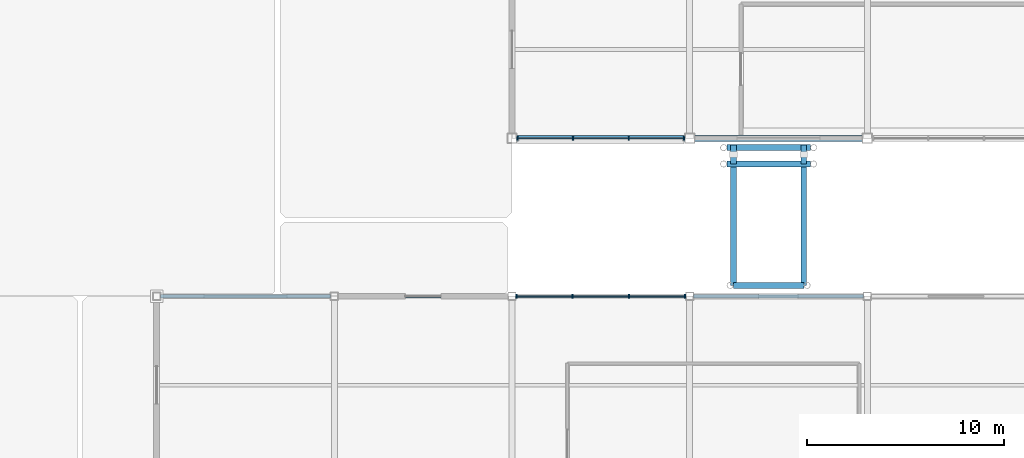
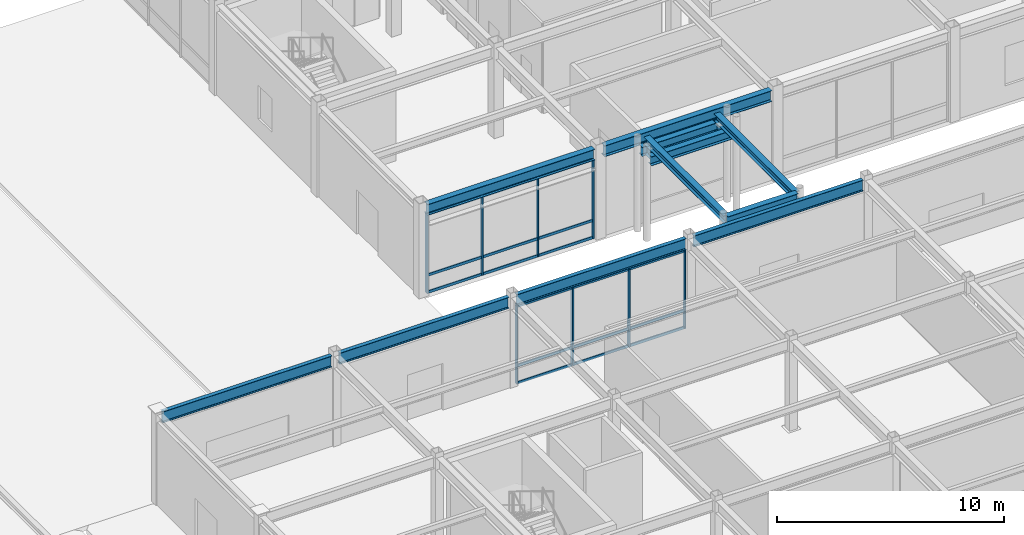
# One storey, part 57 of 123: 26 members, 13 beams, 2 elements without a shape of their own.
"""IFC4 building model written with IfcOpenShell, lengths in metres."""

from ifc_helpers import new_model, si_unit, direction, frame, origin, origin_2d, place, context, subcontext, project, spatial, rectangle, i_section, extrude, material, material_profile, profile_set, type_object, element, aggregate, save


model = new_model("IFC4")

# Units and contexts
model_context = context("Model", 3, precision=1e-05, world=origin(), true_north=direction((0.0, 1.0)))
body_context = subcontext(model_context, "Body", "Model", "MODEL_VIEW")
ifc_project = project(units=[si_unit("LENGTHUNIT", "METRE"), si_unit("AREAUNIT", "SQUARE_METRE"), si_unit("VOLUMEUNIT", "CUBIC_METRE"), si_unit("PLANEANGLEUNIT", "RADIAN"), si_unit("MASSUNIT", "GRAM", prefix="KILO")], contexts=[model_context])

# Site, building, storey
site_placement = place(None, origin())
site = spatial("IfcSite", under=ifc_project, at=site_placement, CompositionType="ELEMENT")
building_placement = place(site_placement, origin())
building = spatial("IfcBuilding", under=site, at=building_placement, Name="Suzunagisa Mobility Hub", CompositionType="ELEMENT")
storey_placement = place(building_placement, origin())
storey = spatial("IfcBuildingStorey", under=building, at=storey_placement, Name="L00", CompositionType="ELEMENT", Elevation=0.0)

# Curtain wall, members
ifc_material_1 = material(Name="Thermally Broken Anodized Aluminum and Low-E Glazing", Category="aluminium")
curtain_wall_type_1 = type_object("IfcCurtainWallType", Name="Unitised Curtain Wall CW-32 8500x4200", PredefinedType="USERDEFINED", material=ifc_material_1)
curtain_wall_1_placement = place(storey_placement, origin())
curtain_wall_1 = element("IfcCurtainWall", 1, at=curtain_wall_1_placement, inside=storey, type_object=curtain_wall_type_1, Name="L00 Unitised Curtain Wall CW-148", ObjectType="UNITISED CURTAIN WALL", PredefinedType="USERDEFINED")
ifc_material_2 = material(Name="Anodized Aluminum 6063-T6", Category="aluminium")
ifc_material_profile_1 = material_profile(ifc_material_2, rectangle(XDim=0.06494140625, YDim=0.139892578125, at=origin_2d()), Name="TRAN-65x140")
ifc_profile_set_1 = profile_set([ifc_material_profile_1], Name="Anodized Aluminum 6063-T6")
member_type_1 = type_object("IfcMemberType", Name="Curtain Wall Framing CM-01 TRAN-65x140", PredefinedType="USERDEFINED", material=ifc_profile_set_1)
member_1_placement = place(storey_placement, frame((152.737060546875, 36.0, 0.032470703125), z_axis=(-1.0, 0.0, 0.0), x_axis=(0.0, -1.0, 0.0)))
member_1 = element("IfcMember", 2, at=member_1_placement, type_object=member_type_1, Name="Curtain Wall Transom 148-T1.1", ObjectType="TRANSOM", PredefinedType="USERDEFINED", context=body_context, shape_type="SweptSolid", body=[
    extrude(rectangle(XDim=0.06494140625, YDim=0.139892578125, at=origin_2d()), origin(), (0.0, 0.0, 1.0), 2.773193359375),
])
member_2_placement = place(storey_placement, frame((152.737060546875, 36.0, 0.949951171875), z_axis=(-1.0, 0.0, 0.0), x_axis=(0.0, -1.0, 0.0)))
member_2 = element("IfcMember", 3, at=member_2_placement, type_object=member_type_1, Name="Curtain Wall Transom 148-T1.2", ObjectType="TRANSOM", PredefinedType="USERDEFINED", context=body_context, shape_type="SweptSolid", body=[
    extrude(rectangle(XDim=0.06494140625, YDim=0.139892578125, at=origin_2d()), origin(), (0.0, 0.0, 1.0), 2.773193359375),
])
member_3_placement = place(storey_placement, frame((152.737060546875, 36.0, 4.157470703125), z_axis=(-1.0, 0.0, 0.0), x_axis=(0.0, -1.0, 0.0)))
member_3 = element("IfcMember", 4, at=member_3_placement, type_object=member_type_1, Name="Curtain Wall Transom 148-T1.3", ObjectType="TRANSOM", PredefinedType="USERDEFINED", context=body_context, shape_type="SweptSolid", body=[
    extrude(rectangle(XDim=0.06494140625, YDim=0.139892578125, at=origin_2d()), origin(), (0.0, 0.0, 1.0), 2.773193359375),
])
member_4_placement = place(storey_placement, frame((149.90283203125, 36.0, 0.032470703125), z_axis=(-1.0, 0.0, 0.0), x_axis=(0.0, -1.0, 0.0)))
member_4 = element("IfcMember", 5, at=member_4_placement, type_object=member_type_1, Name="Curtain Wall Transom 148-T2.1", ObjectType="TRANSOM", PredefinedType="USERDEFINED", context=body_context, shape_type="SweptSolid", body=[
    extrude(rectangle(XDim=0.06494140625, YDim=0.139892578125, at=origin_2d()), origin(), (0.0, 0.0, 1.0), 2.8056640625),
])
member_5_placement = place(storey_placement, frame((149.90283203125, 36.0, 0.949951171875), z_axis=(-1.0, 0.0, 0.0), x_axis=(0.0, -1.0, 0.0)))
member_5 = element("IfcMember", 6, at=member_5_placement, type_object=member_type_1, Name="Curtain Wall Transom 148-T2.2", ObjectType="TRANSOM", PredefinedType="USERDEFINED", context=body_context, shape_type="SweptSolid", body=[
    extrude(rectangle(XDim=0.06494140625, YDim=0.139892578125, at=origin_2d()), origin(), (0.0, 0.0, 1.0), 2.8056640625),
])
member_6_placement = place(storey_placement, frame((149.90283203125, 36.0, 4.157470703125), z_axis=(-1.0, 0.0, 0.0), x_axis=(0.0, -1.0, 0.0)))
member_6 = element("IfcMember", 7, at=member_6_placement, type_object=member_type_1, Name="Curtain Wall Transom 148-T2.3", ObjectType="TRANSOM", PredefinedType="USERDEFINED", context=body_context, shape_type="SweptSolid", body=[
    extrude(rectangle(XDim=0.06494140625, YDim=0.139892578125, at=origin_2d()), origin(), (0.0, 0.0, 1.0), 2.8056640625),
])
member_7_placement = place(storey_placement, frame((147.0361328125, 36.0, 0.032470703125), z_axis=(-1.0, 0.0, 0.0), x_axis=(0.0, -1.0, 0.0)))
member_7 = element("IfcMember", 8, at=member_7_placement, type_object=member_type_1, Name="Curtain Wall Transom 148-T3.1", ObjectType="TRANSOM", PredefinedType="USERDEFINED", context=body_context, shape_type="SweptSolid", body=[
    extrude(rectangle(XDim=0.06494140625, YDim=0.139892578125, at=origin_2d()), origin(), (0.0, 0.0, 1.0), 2.773193359375),
])
member_8_placement = place(storey_placement, frame((147.0361328125, 36.0, 0.949951171875), z_axis=(-1.0, 0.0, 0.0), x_axis=(0.0, -1.0, 0.0)))
member_8 = element("IfcMember", 9, at=member_8_placement, type_object=member_type_1, Name="Curtain Wall Transom 148-T3.2", ObjectType="TRANSOM", PredefinedType="USERDEFINED", context=body_context, shape_type="SweptSolid", body=[
    extrude(rectangle(XDim=0.06494140625, YDim=0.139892578125, at=origin_2d()), origin(), (0.0, 0.0, 1.0), 2.773193359375),
])
member_9_placement = place(storey_placement, frame((147.0361328125, 36.0, 4.157470703125), z_axis=(-1.0, 0.0, 0.0), x_axis=(0.0, -1.0, 0.0)))
member_9 = element("IfcMember", 10, at=member_9_placement, type_object=member_type_1, Name="Curtain Wall Transom 148-T3.3", ObjectType="TRANSOM", PredefinedType="USERDEFINED", context=body_context, shape_type="SweptSolid", body=[
    extrude(rectangle(XDim=0.06494140625, YDim=0.139892578125, at=origin_2d()), origin(), (0.0, 0.0, 1.0), 2.773193359375),
])

curtain_wall_type_2 = type_object("IfcCurtainWallType", Name="Unitised Curtain Wall CW-21 8500x4300", PredefinedType="USERDEFINED", material=ifc_material_1)
curtain_wall_2_placement = place(storey_placement, origin())
curtain_wall_2 = element("IfcCurtainWall", 11, at=curtain_wall_2_placement, inside=storey, type_object=curtain_wall_type_2, Name="L00 Unitised Curtain Wall CW-171", ObjectType="UNITISED CURTAIN WALL", PredefinedType="USERDEFINED")
member_10_placement = place(storey_placement, frame((144.31298828125, 44.0, 0.032470703125), z_axis=(1.0, 0.0, 0.0), x_axis=(0.0, 1.0, 0.0)))
member_10 = element("IfcMember", 12, at=member_10_placement, type_object=member_type_1, Name="Curtain Wall Transom 171-T1.1", ObjectType="TRANSOM", PredefinedType="USERDEFINED", context=body_context, shape_type="SweptSolid", body=[
    extrude(rectangle(XDim=0.06494140625, YDim=0.139892578125, at=origin_2d()), origin(), (0.0, 0.0, 1.0), 2.73974609375),
])
member_11_placement = place(storey_placement, frame((144.31298828125, 44.0, 0.949951171875), z_axis=(1.0, 0.0, 0.0), x_axis=(0.0, 1.0, 0.0)))
member_11 = element("IfcMember", 13, at=member_11_placement, type_object=member_type_1, Name="Curtain Wall Transom 171-T1.2", ObjectType="TRANSOM", PredefinedType="USERDEFINED", context=body_context, shape_type="SweptSolid", body=[
    extrude(rectangle(XDim=0.06494140625, YDim=0.139892578125, at=origin_2d()), origin(), (0.0, 0.0, 1.0), 2.73974609375),
])
member_12_placement = place(storey_placement, frame((144.31298828125, 44.0, 4.219482421875), z_axis=(1.0, 0.0, 0.0), x_axis=(0.0, 1.0, 0.0)))
member_12 = element("IfcMember", 14, at=member_12_placement, type_object=member_type_1, Name="Curtain Wall Transom 171-T1.3", ObjectType="TRANSOM", PredefinedType="USERDEFINED", context=body_context, shape_type="SweptSolid", body=[
    extrude(rectangle(XDim=0.06494140625, YDim=0.139892578125, at=origin_2d()), origin(), (0.0, 0.0, 1.0), 2.73974609375),
])
member_13_placement = place(storey_placement, frame((147.11376953125, 44.0, 0.032470703125), z_axis=(1.0, 0.0, 0.0), x_axis=(0.0, 1.0, 0.0)))
member_13 = element("IfcMember", 15, at=member_13_placement, type_object=member_type_1, Name="Curtain Wall Transom 171-T2.1", ObjectType="TRANSOM", PredefinedType="USERDEFINED", context=body_context, shape_type="SweptSolid", body=[
    extrude(rectangle(XDim=0.06494140625, YDim=0.139892578125, at=origin_2d()), origin(), (0.0, 0.0, 1.0), 2.7724609375),
])
member_14_placement = place(storey_placement, frame((147.11376953125, 44.0, 0.949951171875), z_axis=(1.0, 0.0, 0.0), x_axis=(0.0, 1.0, 0.0)))
member_14 = element("IfcMember", 16, at=member_14_placement, type_object=member_type_1, Name="Curtain Wall Transom 171-T2.2", ObjectType="TRANSOM", PredefinedType="USERDEFINED", context=body_context, shape_type="SweptSolid", body=[
    extrude(rectangle(XDim=0.06494140625, YDim=0.139892578125, at=origin_2d()), origin(), (0.0, 0.0, 1.0), 2.7724609375),
])
member_15_placement = place(storey_placement, frame((147.11376953125, 44.0, 4.219482421875), z_axis=(1.0, 0.0, 0.0), x_axis=(0.0, 1.0, 0.0)))
member_15 = element("IfcMember", 17, at=member_15_placement, type_object=member_type_1, Name="Curtain Wall Transom 171-T2.3", ObjectType="TRANSOM", PredefinedType="USERDEFINED", context=body_context, shape_type="SweptSolid", body=[
    extrude(rectangle(XDim=0.06494140625, YDim=0.139892578125, at=origin_2d()), origin(), (0.0, 0.0, 1.0), 2.7724609375),
])
member_16_placement = place(storey_placement, frame((149.947265625, 44.0, 0.032470703125), z_axis=(1.0, 0.0, 0.0), x_axis=(0.0, 1.0, 0.0)))
member_16 = element("IfcMember", 18, at=member_16_placement, type_object=member_type_1, Name="Curtain Wall Transom 171-T3.1", ObjectType="TRANSOM", PredefinedType="USERDEFINED", context=body_context, shape_type="SweptSolid", body=[
    extrude(rectangle(XDim=0.06494140625, YDim=0.139892578125, at=origin_2d()), origin(), (0.0, 0.0, 1.0), 2.73974609375),
])
member_17_placement = place(storey_placement, frame((149.947265625, 44.0, 0.949951171875), z_axis=(1.0, 0.0, 0.0), x_axis=(0.0, 1.0, 0.0)))
member_17 = element("IfcMember", 19, at=member_17_placement, type_object=member_type_1, Name="Curtain Wall Transom 171-T3.2", ObjectType="TRANSOM", PredefinedType="USERDEFINED", context=body_context, shape_type="SweptSolid", body=[
    extrude(rectangle(XDim=0.06494140625, YDim=0.139892578125, at=origin_2d()), origin(), (0.0, 0.0, 1.0), 2.73974609375),
])
member_18_placement = place(storey_placement, frame((149.947265625, 44.0, 4.219482421875), z_axis=(1.0, 0.0, 0.0), x_axis=(0.0, 1.0, 0.0)))
member_18 = element("IfcMember", 20, at=member_18_placement, type_object=member_type_1, Name="Curtain Wall Transom 171-T3.3", ObjectType="TRANSOM", PredefinedType="USERDEFINED", context=body_context, shape_type="SweptSolid", body=[
    extrude(rectangle(XDim=0.06494140625, YDim=0.139892578125, at=origin_2d()), origin(), (0.0, 0.0, 1.0), 2.73974609375),
])

# Member
ifc_material_profile_2 = material_profile(ifc_material_2, rectangle(XDim=0.06494140625, YDim=0.179931640625, at=origin_2d()), Name="MULL-65x180")
ifc_profile_set_2 = profile_set([ifc_material_profile_2], Name="Anodized Aluminum 6063-T6")
member_type_2 = type_object("IfcMemberType", Name="Curtain Wall Framing CM-04 MULL-65x180", PredefinedType="MULLION", material=ifc_profile_set_2)
member_19_placement = place(storey_placement, frame((152.767578125, 36.0, 0.0), z_axis=(0.0, 0.0, 1.0), x_axis=(-1.0, 0.0, 0.0)))
member_19 = element("IfcMember", 21, at=member_19_placement, type_object=member_type_2, Name="Curtain Wall Mullion 148-M1", PredefinedType="MULLION", context=body_context, shape_type="SweptSolid", body=[
    extrude(rectangle(XDim=0.06494140625, YDim=0.179931640625, at=origin_2d()), origin(), (0.0, 0.0, 1.0), 4.18994140625),
])

member_20_placement = place(storey_placement, frame((149.933349609375, 36.0, 0.0), z_axis=(0.0, 0.0, 1.0), x_axis=(-1.0, 0.0, 0.0)))
member_20 = element("IfcMember", 22, at=member_20_placement, type_object=member_type_2, Name="Curtain Wall Mullion 148-M2", PredefinedType="MULLION", context=body_context, shape_type="SweptSolid", body=[
    extrude(rectangle(XDim=0.06494140625, YDim=0.179931640625, at=origin_2d()), origin(), (0.0, 0.0, 1.0), 4.18994140625),
])

member_21_placement = place(storey_placement, frame((147.066650390625, 36.0, 0.0), z_axis=(0.0, 0.0, 1.0), x_axis=(-1.0, 0.0, 0.0)))
member_21 = element("IfcMember", 23, at=member_21_placement, type_object=member_type_2, Name="Curtain Wall Mullion 148-M3", PredefinedType="MULLION", context=body_context, shape_type="SweptSolid", body=[
    extrude(rectangle(XDim=0.06494140625, YDim=0.179931640625, at=origin_2d()), origin(), (0.0, 0.0, 1.0), 4.18994140625),
])

member_22_placement = place(storey_placement, frame((144.232421875, 36.0, 0.0), z_axis=(0.0, 0.0, 1.0), x_axis=(-1.0, 0.0, 0.0)))
member_22 = element("IfcMember", 24, at=member_22_placement, type_object=member_type_2, Name="Curtain Wall Mullion 148-M4", PredefinedType="MULLION", context=body_context, shape_type="SweptSolid", body=[
    extrude(rectangle(XDim=0.06494140625, YDim=0.179931640625, at=origin_2d()), origin(), (0.0, 0.0, 1.0), 4.18994140625),
])

aggregate(curtain_wall_1, [member_19, member_20, member_21, member_22, member_1, member_2, member_3, member_4, member_5, member_6, member_7, member_8, member_9])

member_23_placement = place(storey_placement, frame((144.282470703125, 44.0, 0.0), z_axis=(0.0, 0.0, 1.0), x_axis=(1.0, 0.0, 0.0)))
member_23 = element("IfcMember", 25, at=member_23_placement, type_object=member_type_2, Name="Curtain Wall Mullion 171-M1", PredefinedType="MULLION", context=body_context, shape_type="SweptSolid", body=[
    extrude(rectangle(XDim=0.06494140625, YDim=0.179931640625, at=origin_2d()), origin(), (0.0, 0.0, 1.0), 4.251953125),
])

member_24_placement = place(storey_placement, frame((147.083251953125, 44.0, 0.0), z_axis=(0.0, 0.0, 1.0), x_axis=(1.0, 0.0, 0.0)))
member_24 = element("IfcMember", 26, at=member_24_placement, type_object=member_type_2, Name="Curtain Wall Mullion 171-M2", PredefinedType="MULLION", context=body_context, shape_type="SweptSolid", body=[
    extrude(rectangle(XDim=0.06494140625, YDim=0.179931640625, at=origin_2d()), origin(), (0.0, 0.0, 1.0), 4.251953125),
])

member_25_placement = place(storey_placement, frame((149.916748046875, 44.0, 0.0), z_axis=(0.0, 0.0, 1.0), x_axis=(1.0, 0.0, 0.0)))
member_25 = element("IfcMember", 27, at=member_25_placement, type_object=member_type_2, Name="Curtain Wall Mullion 171-M3", PredefinedType="MULLION", context=body_context, shape_type="SweptSolid", body=[
    extrude(rectangle(XDim=0.06494140625, YDim=0.179931640625, at=origin_2d()), origin(), (0.0, 0.0, 1.0), 4.251953125),
])

member_26_placement = place(storey_placement, frame((152.717529296875, 44.0, 0.0), z_axis=(0.0, 0.0, 1.0), x_axis=(1.0, 0.0, 0.0)))
member_26 = element("IfcMember", 28, at=member_26_placement, type_object=member_type_2, Name="Curtain Wall Mullion 171-M4", PredefinedType="MULLION", context=body_context, shape_type="SweptSolid", body=[
    extrude(rectangle(XDim=0.06494140625, YDim=0.179931640625, at=origin_2d()), origin(), (0.0, 0.0, 1.0), 4.251953125),
])

aggregate(curtain_wall_2, [member_23, member_24, member_25, member_26, member_10, member_11, member_12, member_13, member_14, member_15, member_16, member_17, member_18])

# Beams
ifc_material_3 = material(Name="Steel SN490B", Category="steel")
ifc_material_profile_3 = material_profile(ifc_material_3, i_section(OverallWidth=0.300048828125, OverallDepth=0.488037109375, WebThickness=0.010986328125, FlangeThickness=0.01806640625, FilletRadius=0.012939453125, at=origin_2d()), Name="H-488x300x11x18")
ifc_profile_set_3 = profile_set([ifc_material_profile_3], Name="Steel SN490B")
beam_type_1 = type_object("IfcBeamType", Name="Steel Beam BM-06 H-488x300x11x18", PredefinedType="BEAM", material=ifc_profile_set_3)
beam_placement = place(storey_placement, frame((155.2099609375, 36.550048828125, 4.615966796875), z_axis=(1.0, 0.0, 0.0), x_axis=(0.0, 1.0, 0.0)))
element("IfcBeam", 29, at=beam_placement, inside=storey, type_object=beam_type_1, Name="L01 Skybridge Fixed Crosshead SB-03", PredefinedType="BEAM", context=body_context, shape_type="SweptSolid", body=[
    extrude(i_section(OverallWidth=0.300048828125, OverallDepth=0.488037109375, WebThickness=0.010986328125, FlangeThickness=0.01806640625, FilletRadius=0.012939453125, at=origin_2d()), origin(), (0.0, 0.0, 1.0), 3.580078125),
])
for number, where, z_axis, x_axis, name in (
    (30, (154.8798828125, 42.699951171875, 4.22607421875), (1.0, 0.0, 0.0), (0.0, 1.0, 0.0), "L01 Skybridge Seat Crosshead SB-03-S"),
    (31, (154.8798828125, 43.530029296875, 4.22607421875), (1.0, 0.0, 0.0), (0.0, 1.0, 0.0), "L01 Skybridge Seat Crosshead SB-03-N"),
):
    element("IfcBeam", number, at=place(storey_placement, frame(where, z_axis=z_axis, x_axis=x_axis)), inside=storey, type_object=beam_type_1, Name=name, PredefinedType="BEAM", context=body_context, shape_type="SweptSolid", body=[
        extrude(i_section(OverallWidth=0.300048828125, OverallDepth=0.488037109375, WebThickness=0.010986328125, FlangeThickness=0.01806640625, FilletRadius=0.012939453125, at=origin_2d()), origin(), (0.0, 0.0, 1.0), 4.240234375),
    ])
for number, where, z_axis, x_axis, name in (
    (32, (155.219970703125, 42.699951171875, 4.22607421875), (0.0, 1.0, 0.0), (-1.0, 0.0, 0.0), "L01 Skybridge 950mm Bearing Seat SB-03-A"),
    (33, (158.780029296875, 42.699951171875, 4.22607421875), (0.0, 1.0, 0.0), (-1.0, 0.0, 0.0), "L01 Skybridge 950mm Bearing Seat SB-03-B"),
):
    element("IfcBeam", number, at=place(storey_placement, frame(where, z_axis=z_axis, x_axis=x_axis)), inside=storey, type_object=beam_type_1, Name=name, PredefinedType="BEAM", context=body_context, shape_type="SweptSolid", body=[
        extrude(i_section(OverallWidth=0.300048828125, OverallDepth=0.488037109375, WebThickness=0.010986328125, FlangeThickness=0.01806640625, FilletRadius=0.012939453125, at=origin_2d()), origin(), (0.0, 0.0, 1.0), 0.949951171875),
    ])
ifc_material_profile_4 = material_profile(ifc_material_3, i_section(OverallWidth=0.199951171875, OverallDepth=0.60009765625, WebThickness=0.010986328125, FlangeThickness=0.01708984375, FilletRadius=0.012939453125, at=origin_2d()), Name="H-600x200x11x17")
ifc_profile_set_4 = profile_set([ifc_material_profile_4], Name="Steel SN490B")
beam_type_2 = type_object("IfcBeamType", Name="Steel Beam BM-07 H-600x200x11x17", PredefinedType="BEAM", material=ifc_profile_set_4)
for number, where, z_axis, x_axis, name in (
    (34, (135.196044921875, 36.0, 4.5400390625), (1.0, 0.0, 0.0), (0.0, 1.0, 0.0), "L00 Primary Girder GX-1411"),
    (35, (144.196044921875, 36.0, 4.5400390625), (1.0, 0.0, 0.0), (0.0, 1.0, 0.0), "L00 Primary Girder GX-1412"),
    (36, (153.196044921875, 36.0, 4.5400390625), (1.0, 0.0, 0.0), (0.0, 1.0, 0.0), "L00 Primary Girder GX-1413"),
    (37, (126.196044921875, 36.0, 4.5400390625), (1.0, 0.0, 0.0), (0.0, 1.0, 0.0), "L00 Primary Girder GX-1461"),
):
    element("IfcBeam", number, at=place(storey_placement, frame(where, z_axis=z_axis, x_axis=x_axis)), inside=storey, type_object=beam_type_2, Name=name, PredefinedType="BEAM", context=body_context, shape_type="SweptSolid", body=[
        extrude(i_section(OverallWidth=0.199951171875, OverallDepth=0.60009765625, WebThickness=0.010986328125, FlangeThickness=0.01708984375, FilletRadius=0.012939453125, at=origin_2d()), origin(), (0.0, 0.0, 1.0), 8.60791015625),
    ])
ifc_material_profile_5 = material_profile(ifc_material_3, i_section(OverallWidth=0.300048828125, OverallDepth=0.587890625, WebThickness=0.011962890625, FlangeThickness=0.02001953125, FilletRadius=0.012939453125, at=origin_2d()), Name="H-588x300x12x20")
ifc_profile_set_5 = profile_set([ifc_material_profile_5], Name="Steel SN490B")
beam_type_3 = type_object("IfcBeamType", Name="Steel Beam BM-16 H-588x300x12x20", PredefinedType="BEAM", material=ifc_profile_set_5)
for number, where, z_axis, x_axis, name in (
    (38, (144.24609375, 44.0, 4.5458984375), (1.0, 0.0, 0.0), (0.0, 1.0, 0.0), "L00 Primary Girder GX-1706"),
    (39, (153.24609375, 44.0, 4.5458984375), (1.0, 0.0, 0.0), (0.0, 1.0, 0.0), "L00 Primary Girder GX-1707"),
):
    element("IfcBeam", number, at=place(storey_placement, frame(where, z_axis=z_axis, x_axis=x_axis)), inside=storey, type_object=beam_type_3, Name=name, PredefinedType="BEAM", context=body_context, shape_type="SweptSolid", body=[
        extrude(i_section(OverallWidth=0.300048828125, OverallDepth=0.587890625, WebThickness=0.011962890625, FlangeThickness=0.02001953125, FilletRadius=0.012939453125, at=origin_2d()), origin(), (0.0, 0.0, 1.0), 8.5078125),
    ])
ifc_material_profile_6 = material_profile(ifc_material_3, i_section(OverallWidth=0.300048828125, OverallDepth=0.389892578125, WebThickness=0.010009765625, FlangeThickness=0.01611328125, FilletRadius=0.012939453125, at=origin_2d()), Name="H-390x300x10x16")
ifc_profile_set_6 = profile_set([ifc_material_profile_6], Name="Steel SN490B")
beam_type_4 = type_object("IfcBeamType", Name="Steel Beam BM-17 H-390x300x10x16", PredefinedType="T_BEAM", material=ifc_profile_set_6)
for number, where, z_axis, x_axis, name in (
    (40, (155.219970703125, 36.550048828125, 4.6650390625), (0.0, 1.0, 0.0), (-1.0, 0.0, 0.0), "L01 Bridge Girder SB-03-A"),
    (41, (158.780029296875, 36.550048828125, 4.6650390625), (0.0, 1.0, 0.0), (-1.0, 0.0, 0.0), "L01 Bridge Girder SB-03-B"),
):
    element("IfcBeam", number, at=place(storey_placement, frame(where, z_axis=z_axis, x_axis=x_axis)), inside=storey, type_object=beam_type_4, Name=name, PredefinedType="T_BEAM", context=body_context, shape_type="SweptSolid", body=[
        extrude(i_section(OverallWidth=0.300048828125, OverallDepth=0.389892578125, WebThickness=0.010009765625, FlangeThickness=0.01611328125, FilletRadius=0.012939453125, at=origin_2d()), origin(), (0.0, 0.0, 1.0), 7.02001953125),
    ])

save(model, "model.ifc")
